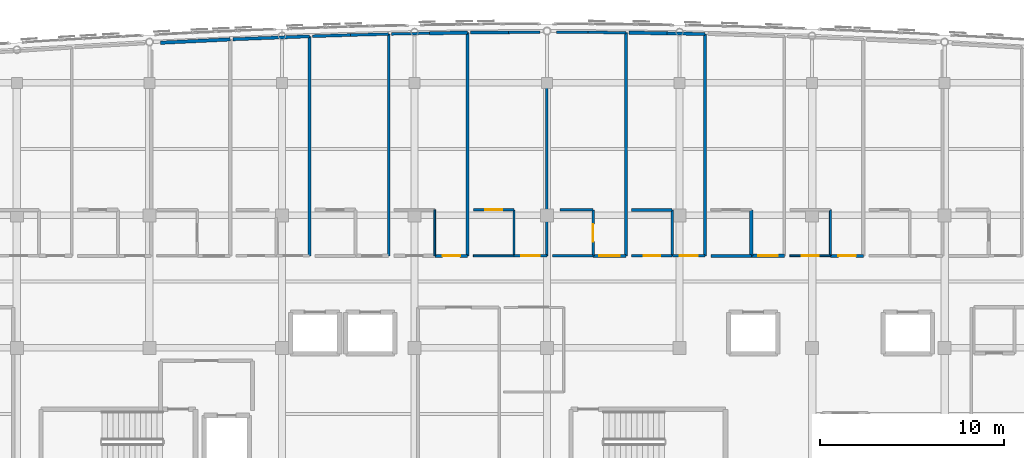
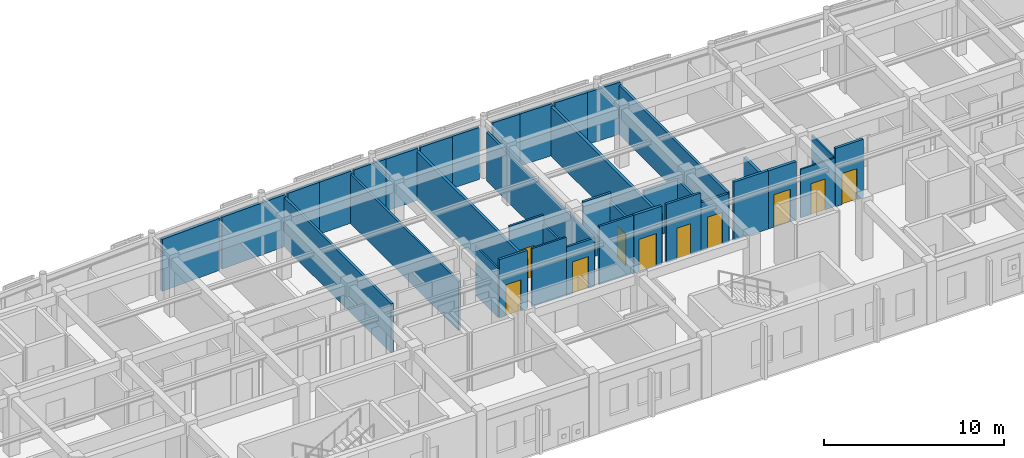
# One storey, part 95 of 113: 38 walls, 10 doors, 10 openings.
"""IFC4 building model written with IfcOpenShell, lengths in metres."""

from ifc_helpers import new_model, si_unit, direction, frame, frame_2d, origin, place, context, subcontext, project, spatial, rectangle, extrude, material, layer, layer_set, type_object, element, fill, save


model = new_model("IFC4")

# Units and contexts
model_context = context("Model", 3, precision=1e-05, world=origin(), true_north=direction((0.0, 1.0)))
body_context = subcontext(model_context, "Body", "Model", "MODEL_VIEW")
ifc_project = project(units=[si_unit("LENGTHUNIT", "METRE"), si_unit("AREAUNIT", "SQUARE_METRE"), si_unit("VOLUMEUNIT", "CUBIC_METRE"), si_unit("PLANEANGLEUNIT", "RADIAN"), si_unit("MASSUNIT", "GRAM", prefix="KILO")], contexts=[model_context])

# Site, building, storey
site_placement = place(None, origin())
site = spatial("IfcSite", under=ifc_project, at=site_placement, CompositionType="ELEMENT")
building_placement = place(site_placement, origin())
building = spatial("IfcBuilding", under=site, at=building_placement, Name="Carrowvane Square Congress Hotel", CompositionType="ELEMENT")
storey_placement = place(building_placement, frame((0.0, 0.0, 15.0)))
storey = spatial("IfcBuildingStorey", under=building, at=storey_placement, Name="L03", CompositionType="ELEMENT", Elevation=15.0)

# Walls
ifc_material_1 = material(Name="Acoustic gypsum board", Category="gypsum")
ifc_layer_1 = layer(ifc_material_1, 0.155029296875)
ifc_layer_set_1 = layer_set([ifc_layer_1], Name="Acoustic gypsum board")
wall_type_1 = type_object("IfcWallType", Name="WL-FIR-155", PredefinedType="PARTITIONING", material=ifc_layer_set_1)
wall_1_placement = place(storey_placement, frame((85.090087890625, 115.925537109375, 0.0), z_axis=(0.0, 0.0, 1.0), x_axis=(0.0, -1.0, 0.0)))
element("IfcWall", 1, at=wall_1_placement, inside=storey, type_object=wall_type_1, Name="L03 Parkview Guest Bedroom 0308 partition", PredefinedType="PARTITIONING", context=body_context, shape_type="SweptSolid", body=[
    extrude(rectangle(XDim=11.925537109375, YDim=0.155029296875, at=frame_2d((5.962890625, 0.0))), origin(), (0.0, 0.0, 1.0), 3.324951171875),
])
wall_2_placement = place(storey_placement, frame((85.25, 115.930908203125, 0.0), z_axis=(0.0, 0.0, 1.0), x_axis=(0.999526572749, 0.030767358826, 0.0)))
element("IfcWall", 2, at=wall_2_placement, inside=storey, type_object=wall_type_1, Name="L03 Parkview Guest Bedroom 0309 partition", PredefinedType="PARTITIONING", context=body_context, shape_type="SweptSolid", body=[
    extrude(rectangle(XDim=2.071044921875, YDim=0.155029296875, at=frame_2d((1.03564453125, 0.0))), origin(), (0.0, 0.0, 1.0), 3.515625),
])

# Wall, opening, door
wall_3_placement = place(storey_placement, frame((93.68994140625, 104.0, 0.0), z_axis=(0.0, 0.0, 1.0), x_axis=(-1.0, 0.0, 0.0)))
wall_3 = element("IfcWall", 3, at=wall_3_placement, inside=storey, type_object=wall_type_1, Name="L03 Parkview Guest Bedroom 0310 partition", PredefinedType="PARTITIONING", context=body_context, shape_type="SweptSolid", body=[
    extrude(rectangle(XDim=1.780029296875, YDim=0.155029296875, at=frame_2d((0.89013671875, 0.0))), origin(), (0.0, 0.0, 1.0), 3.93994140625),
])
opening_1_placement = place(wall_3_placement, frame((0.4150390625, 0.0, 0.0)))
opening_1 = element("IfcOpeningElement", 4, at=opening_1_placement, cuts=wall_3, Name="Opening FD-06", PredefinedType="OPENING", context=body_context, shape_type="SweptSolid", body=[
    extrude(rectangle(XDim=0.949951171875, YDim=2.10009765625, at=frame_2d((0.47509765625, 1.050048828125))), frame((0.0, 0.08740234375, 0.0), z_axis=(0.0, -1.0, 0.0), x_axis=(1.0, 0.0, 0.0)), (0.0, 0.0, 1.0), 0.175048828125),
])
ifc_material_2 = material(Name="European oak timber", Category="wood")
door_type_1 = type_object("IfcDoorType", Name="DR-FD30-0950x2100", OperationType="NOTDEFINED", PredefinedType="DOOR", material=ifc_material_2)
door_1_placement = place(opening_1_placement, origin())
door_1 = element("IfcDoor", 5, at=door_1_placement, inside=storey, type_object=door_type_1, Name="L03 Parkview Guest Bedroom 0310 entrance door", OperationType="SINGLE_SWING_RIGHT", OverallHeight=2.10009765625, OverallWidth=0.949951171875, PredefinedType="DOOR", context=body_context, shape_type="SweptSolid", body=[
    extrude(rectangle(XDim=0.949951171875, YDim=2.10009765625, at=frame_2d((0.47509765625, 1.050048828125))), frame((0.0, 0.02490234375, 0.0), z_axis=(0.0, -1.0, 0.0), x_axis=(1.0, 0.0, 0.0)), (0.0, 0.0, 1.0), 0.050048828125),
])
fill(opening_1, door_1)

# Walls
wall_4_placement = place(storey_placement, frame((95.919921875, 116.143310546875, 0.0), z_axis=(0.0, 0.0, 1.0), x_axis=(0.9999950669, 0.003141046755, 0.0)))
element("IfcWall", 6, at=wall_4_placement, inside=storey, type_object=wall_type_1, Name="L03 Parkview Guest Bedroom 0311 partition", PredefinedType="PARTITIONING", context=body_context, shape_type="SweptSolid", body=[
    extrude(rectangle(XDim=1.7099609375, YDim=0.155029296875, at=frame_2d((0.85498046875, 0.0))), origin(), (0.0, 0.0, 1.0), 3.515625),
])
wall_5_placement = place(storey_placement, frame((104.800048828125, 106.5, 0.0), z_axis=(0.0, 0.0, 1.0), x_axis=(0.0, -1.0, 0.0)))
element("IfcWall", 7, at=wall_5_placement, inside=storey, type_object=wall_type_1, Name="L03 En-suite Bathroom 0313 partition", PredefinedType="PARTITIONING", context=body_context, shape_type="SweptSolid", body=[
    extrude(rectangle(XDim=2.5, YDim=0.155029296875, at=frame_2d((1.25, 0.0))), origin(), (0.0, 0.0, 1.0), 3.324951171875),
])
wall_6_placement = place(storey_placement, frame((106.590087890625, 116.04833984375, 0.0), z_axis=(0.0, 0.0, 1.0), x_axis=(0.0, -1.0, 0.0)))
element("IfcWall", 8, at=wall_6_placement, inside=storey, type_object=wall_type_1, Name="L03 Parkview Guest Bedroom 0313 partition", PredefinedType="PARTITIONING", context=body_context, shape_type="SweptSolid", body=[
    extrude(rectangle(XDim=12.04833984375, YDim=0.155029296875, at=frame_2d((6.024169921875, 0.0))), origin(), (0.0, 0.0, 1.0), 3.324951171875),
])
ifc_material_3 = material(Name="Acoustic gypsum board", Category="gypsum")
ifc_layer_2 = layer(ifc_material_3, 0.169921875)
ifc_layer_set_2 = layer_set([ifc_layer_2], Name="Acoustic gypsum board")
wall_type_2 = type_object("IfcWallType", Name="WL-FIR-170", PredefinedType="PARTITIONING", material=ifc_layer_set_2)
wall_7_placement = place(storey_placement, frame((80.949951171875, 115.766357421875, 0.0), z_axis=(0.0, 0.0, 1.0), x_axis=(0.999261696776, 0.03841954395, 0.0)))
element("IfcWall", 9, at=wall_7_placement, inside=storey, type_object=wall_type_2, Name="L03 Parkview Guest Bedroom 0308 partition", PredefinedType="PARTITIONING", context=body_context, shape_type="SweptSolid", body=[
    extrude(rectangle(XDim=4.143310546875, YDim=0.169921875, at=frame_2d((2.07177734375, 0.0))), origin(), (0.0, 0.0, 1.0), 3.515625),
])
wall_8_placement = place(storey_placement, frame((93.68994140625, 116.12353515625, 0.0), z_axis=(0.0, 0.0, 1.0), x_axis=(0.0, -1.0, 0.0)))
element("IfcWall", 10, at=wall_8_placement, inside=storey, type_object=wall_type_2, Name="L03 Parkview Guest Bedroom 0310 partition", PredefinedType="PARTITIONING", context=body_context, shape_type="SweptSolid", body=[
    extrude(rectangle(XDim=12.12353515625, YDim=0.169921875, at=frame_2d((6.061767578125, 0.0))), origin(), (0.0, 0.0, 1.0), 3.324951171875),
])
wall_9_placement = place(storey_placement, frame((93.85009765625, 116.125, 0.0), z_axis=(0.0, 0.0, 1.0), x_axis=(0.99996087267, 0.008846079907, 0.0)))
element("IfcWall", 11, at=wall_9_placement, inside=storey, type_object=wall_type_2, Name="L03 Parkview Guest Bedroom 0311 partition", PredefinedType="PARTITIONING", context=body_context, shape_type="SweptSolid", body=[
    extrude(rectangle(XDim=2.06982421875, YDim=0.169921875, at=frame_2d((1.034912109375, 0.0))), origin(), (0.0, 0.0, 1.0), 3.515625),
])

# Wall, opening, door
wall_10_placement = place(storey_placement, frame((102.2900390625, 104.0, 0.0), z_axis=(0.0, 0.0, 1.0), x_axis=(-1.0, 0.0, 0.0)))
wall_10 = element("IfcWall", 12, at=wall_10_placement, inside=storey, type_object=wall_type_2, Name="L03 Parkview Guest Bedroom 0312 partition", PredefinedType="PARTITIONING", context=body_context, shape_type="SweptSolid", body=[
    extrude(rectangle(XDim=1.780029296875, YDim=0.169921875, at=frame_2d((0.89013671875, 0.0))), origin(), (0.0, 0.0, 1.0), 3.93994140625),
])
opening_2_placement = place(wall_10_placement, frame((0.330078125, 0.0, 0.0)))
opening_2 = element("IfcOpeningElement", 13, at=opening_2_placement, cuts=wall_10, Name="Opening FD-10", PredefinedType="OPENING", context=body_context, shape_type="SweptSolid", body=[
    extrude(rectangle(XDim=1.1201171875, YDim=2.199951171875, at=frame_2d((0.56005859375, 1.10009765625))), frame((0.0, 0.094970703125, 0.0), z_axis=(0.0, -1.0, 0.0), x_axis=(1.0, 0.0, 0.0)), (0.0, 0.0, 1.0), 0.18994140625),
])
ifc_material_4 = material(Name="European oak timber", Category="wood")
door_type_2 = type_object("IfcDoorType", Name="DR-FD30-1120x2200", OperationType="NOTDEFINED", PredefinedType="DOOR", material=ifc_material_4)
door_2_placement = place(opening_2_placement, origin())
door_2 = element("IfcDoor", 14, at=door_2_placement, inside=storey, type_object=door_type_2, Name="L03 Parkview Guest Bedroom 0312 entrance door", OperationType="SINGLE_SWING_RIGHT", OverallHeight=2.199951171875, OverallWidth=1.1201171875, PredefinedType="DOOR", context=body_context, shape_type="SweptSolid", body=[
    extrude(rectangle(XDim=1.1201171875, YDim=2.199951171875, at=frame_2d((0.56005859375, 1.10009765625))), frame((0.0, 0.02490234375, 0.0), z_axis=(0.0, -1.0, 0.0), x_axis=(1.0, 0.0, 0.0)), (0.0, 0.0, 1.0), 0.050048828125),
])
fill(opening_2, door_2)

# Walls
wall_11_placement = place(storey_placement, frame((102.60009765625, 106.5, 0.0), z_axis=(0.0, 0.0, 1.0), x_axis=(1.0, 0.0, 0.0)))
element("IfcWall", 15, at=wall_11_placement, inside=storey, type_object=wall_type_2, Name="L03 En-suite Bathroom 0313 partition", PredefinedType="PARTITIONING", context=body_context, shape_type="SweptSolid", body=[
    extrude(rectangle(XDim=2.199951171875, YDim=0.169921875, at=frame_2d((1.10009765625, 0.0))), origin(), (0.0, 0.0, 1.0), 3.324951171875),
])
wall_12_placement = place(storey_placement, frame((104.52001953125, 116.0908203125, 0.0), z_axis=(0.0, 0.0, 1.0), x_axis=(0.999789504853, -0.020516968256, 0.0)))
element("IfcWall", 16, at=wall_12_placement, inside=storey, type_object=wall_type_2, Name="L03 Parkview Guest Bedroom 0313 partition", PredefinedType="PARTITIONING", context=body_context, shape_type="SweptSolid", body=[
    extrude(rectangle(XDim=2.070556640625, YDim=0.169921875, at=frame_2d((1.03515625, 0.0))), origin(), (0.0, 0.0, 1.0), 3.515625),
])
wall_13_placement = place(storey_placement, frame((109.10009765625, 104.0, 0.0), z_axis=(0.0, 0.0, 1.0), x_axis=(-1.0, 0.0, 0.0)))
element("IfcWall", 17, at=wall_13_placement, inside=storey, type_object=wall_type_2, Name="L03 En-suite Bathroom 0314 partition", PredefinedType="PARTITIONING", context=body_context, shape_type="SweptSolid", body=[
    extrude(rectangle(XDim=2.2001953125, YDim=0.169921875, at=frame_2d((1.10009765625, 0.0))), origin(), (0.0, 0.0, 1.0), 3.93994140625),
])

# Wall, opening, door
wall_14_placement = place(storey_placement, frame((115.18994140625, 104.0, 0.0), z_axis=(0.0, 0.0, 1.0), x_axis=(-1.0, 0.0, 0.0)))
wall_14 = element("IfcWall", 18, at=wall_14_placement, inside=storey, type_object=wall_type_2, Name="L03 Parkview Guest Bedroom 0315 partition", PredefinedType="PARTITIONING", context=body_context, shape_type="SweptSolid", body=[
    extrude(rectangle(XDim=1.780029296875, YDim=0.169921875, at=frame_2d((0.89013671875, 0.0))), origin(), (0.0, 0.0, 1.0), 3.93994140625),
])
opening_3_placement = place(wall_14_placement, frame((0.4150390625, 0.0, 0.0)))
opening_3 = element("IfcOpeningElement", 19, at=opening_3_placement, cuts=wall_14, Name="Opening FD-06", PredefinedType="OPENING", context=body_context, shape_type="SweptSolid", body=[
    extrude(rectangle(XDim=0.949951171875, YDim=2.10009765625, at=frame_2d((0.47509765625, 1.050048828125))), frame((0.0, 0.094970703125, 0.0), z_axis=(0.0, -1.0, 0.0), x_axis=(1.0, 0.0, 0.0)), (0.0, 0.0, 1.0), 0.18994140625),
])
door_3_placement = place(opening_3_placement, origin())
door_3 = element("IfcDoor", 20, at=door_3_placement, inside=storey, type_object=door_type_1, Name="L03 Parkview Guest Bedroom 0315 entrance door", OperationType="SINGLE_SWING_RIGHT", OverallHeight=2.10009765625, OverallWidth=0.949951171875, PredefinedType="DOOR", context=body_context, shape_type="SweptSolid", body=[
    extrude(rectangle(XDim=0.949951171875, YDim=2.10009765625, at=frame_2d((0.47509765625, 1.050048828125))), frame((0.0, 0.02490234375, 0.0), z_axis=(0.0, -1.0, 0.0), x_axis=(1.0, 0.0, 0.0)), (0.0, 0.0, 1.0), 0.050048828125),
])
fill(opening_3, door_3)

# Walls
ifc_material_5 = material(Name="Acoustic gypsum board", Category="gypsum")
ifc_layer_3 = layer(ifc_material_5, 0.18505859375)
ifc_layer_set_3 = layer_set([ifc_layer_3], Name="Acoustic gypsum board")
wall_type_3 = type_object("IfcWallType", Name="WL-FIR-185", PredefinedType="PARTITIONING", material=ifc_layer_set_3)
wall_15_placement = place(storey_placement, frame((77.009521484375, 115.577392578125, 0.0), z_axis=(0.0, 0.0, 1.0), x_axis=(0.998847761626, 0.047991135592, 0.0)))
element("IfcWall", 21, at=wall_15_placement, inside=storey, type_object=wall_type_3, Name="L03 Parkview Guest Bedroom 0307 partition", PredefinedType="PARTITIONING", context=body_context, shape_type="SweptSolid", body=[
    extrude(rectangle(XDim=3.784912109375, YDim=0.18505859375, at=frame_2d((1.892578125, 0.0))), origin(), (0.0, 0.0, 1.0), 3.515625),
])
wall_16_placement = place(storey_placement, frame((91.6201171875, 116.093017578125, 0.0), z_axis=(0.0, 0.0, 1.0), x_axis=(0.99989132431, 0.014742441087, 0.0)))
element("IfcWall", 22, at=wall_16_placement, inside=storey, type_object=wall_type_3, Name="L03 Parkview Guest Bedroom 0310 partition", PredefinedType="PARTITIONING", context=body_context, shape_type="SweptSolid", body=[
    extrude(rectangle(XDim=2.070068359375, YDim=0.18505859375, at=frame_2d((1.03515625, 0.0))), origin(), (0.0, 0.0, 1.0), 3.515625),
])
wall_17_placement = place(storey_placement, frame((102.2900390625, 116.123779296875, 0.0), z_axis=(0.0, 0.0, 1.0), x_axis=(0.0, -1.0, 0.0)))
element("IfcWall", 23, at=wall_17_placement, inside=storey, type_object=wall_type_3, Name="L03 Parkview Guest Bedroom 0312 partition", PredefinedType="PARTITIONING", context=body_context, shape_type="SweptSolid", body=[
    extrude(rectangle(XDim=12.123779296875, YDim=0.18505859375, at=frame_2d((6.06201171875, 0.0))), origin(), (0.0, 0.0, 1.0), 3.324951171875),
])
wall_18_placement = place(storey_placement, frame((102.449951171875, 116.1220703125, 0.0), z_axis=(0.0, 0.0, 1.0), x_axis=(0.999886073055, -0.015094399971, 0.0)))
element("IfcWall", 24, at=wall_18_placement, inside=storey, type_object=wall_type_3, Name="L03 Parkview Guest Bedroom 0313 partition", PredefinedType="PARTITIONING", context=body_context, shape_type="SweptSolid", body=[
    extrude(rectangle(XDim=2.0703125, YDim=0.18505859375, at=frame_2d((1.03515625, 0.0))), origin(), (0.0, 0.0, 1.0), 3.515625),
])
wall_19_placement = place(storey_placement, frame((109.10009765625, 106.5, 0.0), z_axis=(0.0, 0.0, 1.0), x_axis=(0.0, -1.0, 0.0)))
element("IfcWall", 25, at=wall_19_placement, inside=storey, type_object=wall_type_3, Name="L03 En-suite Bathroom 0314 partition", PredefinedType="PARTITIONING", context=body_context, shape_type="SweptSolid", body=[
    extrude(rectangle(XDim=2.5, YDim=0.18505859375, at=frame_2d((1.25, 0.0))), origin(), (0.0, 0.0, 1.0), 3.324951171875),
])

# Wall, opening, door
wall_20_placement = place(storey_placement, frame((110.889892578125, 104.0, 0.0), z_axis=(0.0, 0.0, 1.0), x_axis=(-1.0, 0.0, 0.0)))
wall_20 = element("IfcWall", 26, at=wall_20_placement, inside=storey, type_object=wall_type_3, Name="L03 Parkview Guest Bedroom 0314 partition", PredefinedType="PARTITIONING", context=body_context, shape_type="SweptSolid", body=[
    extrude(rectangle(XDim=1.77978515625, YDim=0.18505859375, at=frame_2d((0.889892578125, 0.0))), origin(), (0.0, 0.0, 1.0), 3.93994140625),
])
opening_4_placement = place(wall_20_placement, frame((0.360107421875, 0.0, 0.0)))
opening_4 = element("IfcOpeningElement", 27, at=opening_4_placement, cuts=wall_20, Name="Opening FD-09", PredefinedType="OPENING", context=body_context, shape_type="SweptSolid", body=[
    extrude(rectangle(XDim=1.06005859375, YDim=2.199951171875, at=frame_2d((0.530029296875, 1.10009765625))), frame((0.0, 0.1025390625, 0.0), z_axis=(0.0, -1.0, 0.0), x_axis=(1.0, 0.0, 0.0)), (0.0, 0.0, 1.0), 0.205078125),
])
ifc_material_6 = material(Name="European oak timber", Category="wood")
door_type_3 = type_object("IfcDoorType", Name="DR-FD30-1060x2200", OperationType="NOTDEFINED", PredefinedType="DOOR", material=ifc_material_6)
door_4_placement = place(opening_4_placement, origin())
door_4 = element("IfcDoor", 28, at=door_4_placement, inside=storey, type_object=door_type_3, Name="L03 Parkview Guest Bedroom 0314 entrance door", OperationType="SINGLE_SWING_RIGHT", OverallHeight=2.199951171875, OverallWidth=1.06005859375, PredefinedType="DOOR", context=body_context, shape_type="SweptSolid", body=[
    extrude(rectangle(XDim=1.06005859375, YDim=2.199951171875, at=frame_2d((0.530029296875, 1.10009765625))), frame((0.0, 0.02490234375, 0.0), z_axis=(0.0, -1.0, 0.0), x_axis=(1.0, 0.0, 0.0)), (0.0, 0.0, 1.0), 0.050048828125),
])
fill(opening_4, door_4)

# Wall
ifc_material_7 = material(Name="Acoustic gypsum board", Category="gypsum")
ifc_layer_4 = layer(ifc_material_7, 0.097900390625)
ifc_layer_set_4 = layer_set([ifc_layer_4], Name="Acoustic gypsum board")
wall_type_4 = type_object("IfcWallType", Name="WL-PRT-098", PredefinedType="PARTITIONING", material=ifc_layer_set_4)
wall_21_placement = place(storey_placement, frame((91.89990234375, 106.5, 0.0), z_axis=(0.0, 0.0, 1.0), x_axis=(0.0, -1.0, 0.0)))
element("IfcWall", 29, at=wall_21_placement, inside=storey, type_object=wall_type_4, Name="L03 En-suite Bathroom 0310 partition", PredefinedType="PARTITIONING", context=body_context, shape_type="SweptSolid", body=[
    extrude(rectangle(XDim=2.5, YDim=0.097900390625, at=frame_2d((1.25, 0.0))), origin(), (0.0, 0.0, 1.0), 3.324951171875),
])

# Wall, opening, door
wall_22_placement = place(storey_placement, frame((113.39990234375, 104.0, 0.0), z_axis=(0.0, 0.0, 1.0), x_axis=(-1.0, 0.0, 0.0)))
wall_22 = element("IfcWall", 30, at=wall_22_placement, inside=storey, type_object=wall_type_4, Name="L03 En-suite Bathroom 0315 partition", PredefinedType="PARTITIONING", context=body_context, shape_type="SweptSolid", body=[
    extrude(rectangle(XDim=2.199951171875, YDim=0.097900390625, at=frame_2d((1.10009765625, 0.0))), origin(), (0.0, 0.0, 1.0), 3.27490234375),
])
opening_5_placement = place(wall_22_placement, frame((0.64990234375, 0.0, 0.0)))
opening_5 = element("IfcOpeningElement", 31, at=opening_5_placement, cuts=wall_22, Name="Opening ID-02", PredefinedType="OPENING", context=body_context, shape_type="SweptSolid", body=[
    extrude(rectangle(XDim=0.89990234375, YDim=2.080078125, at=frame_2d((0.449951171875, 1.0400390625))), frame((0.0, 0.058837890625, 0.0), z_axis=(0.0, -1.0, 0.0), x_axis=(1.0, 0.0, 0.0)), (0.0, 0.0, 1.0), 0.117919921875),
])
ifc_material_8 = material(Name="European oak timber", Category="wood")
door_type_4 = type_object("IfcDoorType", Name="DR-INT-0900x2080", OperationType="NOTDEFINED", PredefinedType="DOOR", material=ifc_material_8)
door_5_placement = place(opening_5_placement, origin())
door_5 = element("IfcDoor", 32, at=door_5_placement, inside=storey, type_object=door_type_4, Name="L03 En-suite Bathroom 0315 door", OperationType="SINGLE_SWING_LEFT", OverallHeight=2.080078125, OverallWidth=0.89990234375, PredefinedType="DOOR", context=body_context, shape_type="SweptSolid", body=[
    extrude(rectangle(XDim=0.89990234375, YDim=2.080078125, at=frame_2d((0.449951171875, 1.0400390625))), frame((0.0, 0.02490234375, 0.0), z_axis=(0.0, -1.0, 0.0), x_axis=(1.0, 0.0, 0.0)), (0.0, 0.0, 1.0), 0.050048828125),
])
fill(opening_5, door_5)

# Walls
ifc_material_9 = material(Name="Acoustic gypsum board", Category="gypsum")
ifc_layer_5 = layer(ifc_material_9, 0.10791015625)
ifc_layer_set_5 = layer_set([ifc_layer_5], Name="Acoustic gypsum board")
wall_type_5 = type_object("IfcWallType", Name="WL-PRT-108", PredefinedType="PARTITIONING", material=ifc_layer_set_5)
wall_23_placement = place(storey_placement, frame((96.199951171875, 104.0, 0.0), z_axis=(0.0, 0.0, 1.0), x_axis=(-1.0, 0.0, 0.0)))
element("IfcWall", 33, at=wall_23_placement, inside=storey, type_object=wall_type_5, Name="L03 En-suite Bathroom 0311 partition", PredefinedType="PARTITIONING", context=body_context, shape_type="SweptSolid", body=[
    extrude(rectangle(XDim=2.199951171875, YDim=0.10791015625, at=frame_2d((1.10009765625, 0.0))), origin(), (0.0, 0.0, 1.0), 3.93994140625),
])
wall_24_placement = place(storey_placement, frame((113.39990234375, 106.5, 0.0), z_axis=(0.0, 0.0, 1.0), x_axis=(0.0, -1.0, 0.0)))
element("IfcWall", 34, at=wall_24_placement, inside=storey, type_object=wall_type_5, Name="L03 En-suite Bathroom 0315 partition", PredefinedType="PARTITIONING", context=body_context, shape_type="SweptSolid", body=[
    extrude(rectangle(XDim=2.5, YDim=0.10791015625, at=frame_2d((1.25, 0.0))), origin(), (0.0, 0.0, 1.0), 3.324951171875),
])
ifc_material_10 = material(Name="Acoustic gypsum board", Category="gypsum")
ifc_layer_6 = layer(ifc_material_10, 0.117919921875)
ifc_layer_set_6 = layer_set([ifc_layer_6], Name="Acoustic gypsum board")
wall_type_6 = type_object("IfcWallType", Name="WL-PRT-118", PredefinedType="PARTITIONING", material=ifc_layer_set_6)
wall_25_placement = place(storey_placement, frame((96.199951171875, 106.5, 0.0), z_axis=(0.0, 0.0, 1.0), x_axis=(0.0, -1.0, 0.0)))
element("IfcWall", 35, at=wall_25_placement, inside=storey, type_object=wall_type_6, Name="L03 En-suite Bathroom 0311 partition", PredefinedType="PARTITIONING", context=body_context, shape_type="SweptSolid", body=[
    extrude(rectangle(XDim=2.5, YDim=0.117919921875, at=frame_2d((1.25, 0.0))), origin(), (0.0, 0.0, 1.0), 3.324951171875),
])

# Wall, opening, door
ifc_material_11 = material(Name="Acoustic gypsum board", Category="gypsum")
ifc_layer_7 = layer(ifc_material_11, 0.1279296875)
ifc_layer_set_7 = layer_set([ifc_layer_7], Name="Acoustic gypsum board")
wall_type_7 = type_object("IfcWallType", Name="WL-PRT-128", PredefinedType="PARTITIONING", material=ifc_layer_set_7)
wall_26_placement = place(storey_placement, frame((94.0, 106.5, 0.0), z_axis=(0.0, 0.0, 1.0), x_axis=(1.0, 0.0, 0.0)))
wall_26 = element("IfcWall", 36, at=wall_26_placement, inside=storey, type_object=wall_type_7, Name="L03 En-suite Bathroom 0311 partition", PredefinedType="PARTITIONING", context=body_context, shape_type="SweptSolid", body=[
    extrude(rectangle(XDim=2.199951171875, YDim=0.1279296875, at=frame_2d((1.10009765625, 0.0))), origin(), (0.0, 0.0, 1.0), 3.93994140625),
])
opening_6_placement = place(wall_26_placement, frame((0.639892578125, 0.0, 0.0)))
opening_6 = element("IfcOpeningElement", 37, at=opening_6_placement, cuts=wall_26, Name="Opening ID-03", PredefinedType="OPENING", context=body_context, shape_type="SweptSolid", body=[
    extrude(rectangle(XDim=0.919921875, YDim=2.10009765625, at=frame_2d((0.4599609375, 1.050048828125))), frame((0.0, 0.073974609375, 0.0), z_axis=(0.0, -1.0, 0.0), x_axis=(1.0, 0.0, 0.0)), (0.0, 0.0, 1.0), 0.14794921875),
])
ifc_material_12 = material(Name="European oak timber", Category="wood")
door_type_5 = type_object("IfcDoorType", Name="DR-INT-0920x2100", OperationType="NOTDEFINED", PredefinedType="DOOR", material=ifc_material_12)
door_6_placement = place(opening_6_placement, origin())
door_6 = element("IfcDoor", 38, at=door_6_placement, inside=storey, type_object=door_type_5, Name="L03 En-suite Bathroom 0311 door", OperationType="SINGLE_SWING_LEFT", OverallHeight=2.10009765625, OverallWidth=0.919921875, PredefinedType="DOOR", context=body_context, shape_type="SweptSolid", body=[
    extrude(rectangle(XDim=0.919921875, YDim=2.10009765625, at=frame_2d((0.4599609375, 1.050048828125))), frame((0.0, 0.02490234375, 0.0), z_axis=(0.0, -1.0, 0.0), x_axis=(1.0, 0.0, 0.0)), (0.0, 0.0, 1.0), 0.050048828125),
])
fill(opening_6, door_6)

# Walls
wall_27_placement = place(storey_placement, frame((100.5, 104.0, 0.0), z_axis=(0.0, 0.0, 1.0), x_axis=(-1.0, 0.0, 0.0)))
element("IfcWall", 39, at=wall_27_placement, inside=storey, type_object=wall_type_7, Name="L03 En-suite Bathroom 0312 partition", PredefinedType="PARTITIONING", context=body_context, shape_type="SweptSolid", body=[
    extrude(rectangle(XDim=2.199951171875, YDim=0.1279296875, at=frame_2d((1.10009765625, 0.0))), origin(), (0.0, 0.0, 1.0), 3.93994140625),
])
ifc_material_13 = material(Name="Acoustic gypsum board", Category="gypsum")
ifc_layer_8 = layer(ifc_material_13, 0.137939453125)
ifc_layer_set_8 = layer_set([ifc_layer_8], Name="Acoustic gypsum board")
wall_type_8 = type_object("IfcWallType", Name="WL-PRT-138", PredefinedType="PARTITIONING", material=ifc_layer_set_8)
wall_28_placement = place(storey_placement, frame((89.389892578125, 116.048095703125, 0.0), z_axis=(0.0, 0.0, 1.0), x_axis=(0.0, -1.0, 0.0)))
element("IfcWall", 40, at=wall_28_placement, inside=storey, type_object=wall_type_8, Name="L03 Parkview Guest Bedroom 0309 partition", PredefinedType="PARTITIONING", context=body_context, shape_type="SweptSolid", body=[
    extrude(rectangle(XDim=12.048095703125, YDim=0.137939453125, at=frame_2d((6.02392578125, 0.0))), origin(), (0.0, 0.0, 1.0), 3.324951171875),
])
wall_29_placement = place(storey_placement, frame((89.550048828125, 116.051513671875, 0.0), z_axis=(0.0, 0.0, 1.0), x_axis=(0.999799068667, 0.020045505564, 0.0)))
element("IfcWall", 41, at=wall_29_placement, inside=storey, type_object=wall_type_8, Name="L03 Parkview Guest Bedroom 0310 partition", PredefinedType="PARTITIONING", context=body_context, shape_type="SweptSolid", body=[
    extrude(rectangle(XDim=2.070556640625, YDim=0.137939453125, at=frame_2d((1.03515625, 0.0))), origin(), (0.0, 0.0, 1.0), 3.515625),
])

# Wall, opening, door
wall_30_placement = place(storey_placement, frame((97.989990234375, 104.0, 0.0), z_axis=(0.0, 0.0, 1.0), x_axis=(-1.0, 0.0, 0.0)))
wall_30 = element("IfcWall", 42, at=wall_30_placement, inside=storey, type_object=wall_type_8, Name="L03 Parkview Guest Bedroom 0311 partition", PredefinedType="PARTITIONING", context=body_context, shape_type="SweptSolid", body=[
    extrude(rectangle(XDim=1.780029296875, YDim=0.137939453125, at=frame_2d((0.89013671875, 0.0))), origin(), (0.0, 0.0, 1.0), 3.27490234375),
])
opening_7_placement = place(wall_30_placement, frame((0.3798828125, 0.0, 0.0)))
opening_7 = element("IfcOpeningElement", 43, at=opening_7_placement, cuts=wall_30, Name="Opening FD-08", PredefinedType="OPENING", context=body_context, shape_type="SweptSolid", body=[
    extrude(rectangle(XDim=1.02001953125, YDim=2.14990234375, at=frame_2d((0.510009765625, 1.074951171875))), frame((0.0, 0.078857421875, 0.0), z_axis=(0.0, -1.0, 0.0), x_axis=(1.0, 0.0, 0.0)), (0.0, 0.0, 1.0), 0.157958984375),
])
ifc_material_14 = material(Name="European oak timber", Category="wood")
door_type_6 = type_object("IfcDoorType", Name="DR-FD30-1020x2150", OperationType="NOTDEFINED", PredefinedType="DOOR", material=ifc_material_14)
door_7_placement = place(opening_7_placement, origin())
door_7 = element("IfcDoor", 44, at=door_7_placement, inside=storey, type_object=door_type_6, Name="L03 Parkview Guest Bedroom 0311 entrance door", OperationType="SINGLE_SWING_RIGHT", OverallHeight=2.14990234375, OverallWidth=1.02001953125, PredefinedType="DOOR", context=body_context, shape_type="SweptSolid", body=[
    extrude(rectangle(XDim=1.02001953125, YDim=2.14990234375, at=frame_2d((0.510009765625, 1.074951171875))), frame((0.0, 0.02490234375, 0.0), z_axis=(0.0, -1.0, 0.0), x_axis=(1.0, 0.0, 0.0)), (0.0, 0.0, 1.0), 0.050048828125),
])
fill(opening_7, door_7)

wall_31_placement = place(storey_placement, frame((100.5, 106.5, 0.0), z_axis=(0.0, 0.0, 1.0), x_axis=(0.0, -1.0, 0.0)))
wall_31 = element("IfcWall", 45, at=wall_31_placement, inside=storey, type_object=wall_type_8, Name="L03 En-suite Bathroom 0312 partition", PredefinedType="PARTITIONING", context=body_context, shape_type="SweptSolid", body=[
    extrude(rectangle(XDim=2.5, YDim=0.137939453125, at=frame_2d((1.25, 0.0))), origin(), (0.0, 0.0, 1.0), 3.324951171875),
])
opening_8_placement = place(wall_31_placement, frame((0.77001953125, 0.0, 0.0)))
opening_8 = element("IfcOpeningElement", 46, at=opening_8_placement, cuts=wall_31, Name="Opening ID-05", PredefinedType="OPENING", context=body_context, shape_type="SweptSolid", body=[
    extrude(rectangle(XDim=0.9599609375, YDim=2.139892578125, at=frame_2d((0.47998046875, 1.06982421875))), frame((0.0, 0.078857421875, 0.0), z_axis=(0.0, -1.0, 0.0), x_axis=(1.0, 0.0, 0.0)), (0.0, 0.0, 1.0), 0.157958984375),
])
ifc_material_15 = material(Name="European oak timber", Category="wood")
door_type_7 = type_object("IfcDoorType", Name="DR-INT-0960x2140", OperationType="NOTDEFINED", PredefinedType="DOOR", material=ifc_material_15)
door_8_placement = place(opening_8_placement, origin())
door_8 = element("IfcDoor", 47, at=door_8_placement, inside=storey, type_object=door_type_7, Name="L03 En-suite Bathroom 0312 door", OperationType="SINGLE_SWING_LEFT", OverallHeight=2.139892578125, OverallWidth=0.9599609375, PredefinedType="DOOR", context=body_context, shape_type="SweptSolid", body=[
    extrude(rectangle(XDim=0.9599609375, YDim=2.139892578125, at=frame_2d((0.47998046875, 1.06982421875))), frame((0.0, 0.02490234375, 0.0), z_axis=(0.0, -1.0, 0.0), x_axis=(1.0, 0.0, 0.0)), (0.0, 0.0, 1.0), 0.050048828125),
])
fill(opening_8, door_8)

# Walls
wall_32_placement = place(storey_placement, frame((100.219970703125, 116.142822265625, 0.0), z_axis=(0.0, 0.0, 1.0), x_axis=(0.999957690063, -0.009198808801, 0.0)))
element("IfcWall", 48, at=wall_32_placement, inside=storey, type_object=wall_type_8, Name="L03 Parkview Guest Bedroom 0312 partition", PredefinedType="PARTITIONING", context=body_context, shape_type="SweptSolid", body=[
    extrude(rectangle(XDim=2.070068359375, YDim=0.137939453125, at=frame_2d((1.03515625, 0.0))), origin(), (0.0, 0.0, 1.0), 3.515625),
])
ifc_material_16 = material(Name="Acoustic gypsum board", Category="gypsum")
ifc_layer_9 = layer(ifc_material_16, 0.14794921875)
ifc_layer_set_9 = layer_set([ifc_layer_9], Name="Acoustic gypsum board")
wall_type_9 = type_object("IfcWallType", Name="WL-PRT-148", PredefinedType="PARTITIONING", material=ifc_layer_set_9)
wall_33_placement = place(storey_placement, frame((87.320068359375, 115.99462890625, 0.0), z_axis=(0.0, 0.0, 1.0), x_axis=(0.999666532025, 0.025822950049, 0.0)))
element("IfcWall", 49, at=wall_33_placement, inside=storey, type_object=wall_type_9, Name="L03 Parkview Guest Bedroom 0309 partition", PredefinedType="PARTITIONING", context=body_context, shape_type="SweptSolid", body=[
    extrude(rectangle(XDim=2.070556640625, YDim=0.14794921875, at=frame_2d((1.03515625, 0.0))), origin(), (0.0, 0.0, 1.0), 3.515625),
])
wall_34_placement = place(storey_placement, frame((97.989990234375, 115.7900390625, 0.0), z_axis=(0.0, 0.0, 1.0), x_axis=(0.0, -1.0, 0.0)))
element("IfcWall", 50, at=wall_34_placement, inside=storey, type_object=wall_type_9, Name="L03 Parkview Guest Bedroom 0311 partition", PredefinedType="PARTITIONING", context=body_context, shape_type="SweptSolid", body=[
    extrude(rectangle(XDim=11.7900390625, YDim=0.14794921875, at=frame_2d((5.89501953125, 0.0))), origin(), (0.0, 0.0, 1.0), 3.27490234375),
])
wall_35_placement = place(storey_placement, frame((98.7099609375, 106.5, 0.0), z_axis=(0.0, 0.0, 1.0), x_axis=(1.0, 0.0, 0.0)))
element("IfcWall", 51, at=wall_35_placement, inside=storey, type_object=wall_type_9, Name="L03 En-suite Bathroom 0312 partition", PredefinedType="PARTITIONING", context=body_context, shape_type="SweptSolid", body=[
    extrude(rectangle(XDim=1.7900390625, YDim=0.14794921875, at=frame_2d((0.89501953125, 0.0))), origin(), (0.0, 0.0, 1.0), 3.93994140625),
])
wall_36_placement = place(storey_placement, frame((98.510009765625, 116.1484375, 0.0), z_axis=(0.0, 0.0, 1.0), x_axis=(0.999994608248, -0.003283820101, 0.0)))
element("IfcWall", 52, at=wall_36_placement, inside=storey, type_object=wall_type_9, Name="L03 Parkview Guest Bedroom 0312 partition", PredefinedType="PARTITIONING", context=body_context, shape_type="SweptSolid", body=[
    extrude(rectangle(XDim=1.7099609375, YDim=0.14794921875, at=frame_2d((0.85498046875, 0.0))), origin(), (0.0, 0.0, 1.0), 3.515625),
])

# Wall, opening, door
wall_37_placement = place(storey_placement, frame((104.800048828125, 104.0, 0.0), z_axis=(0.0, 0.0, 1.0), x_axis=(-1.0, 0.0, 0.0)))
wall_37 = element("IfcWall", 53, at=wall_37_placement, inside=storey, type_object=wall_type_9, Name="L03 En-suite Bathroom 0313 partition", PredefinedType="PARTITIONING", context=body_context, shape_type="SweptSolid", body=[
    extrude(rectangle(XDim=2.199951171875, YDim=0.14794921875, at=frame_2d((1.10009765625, 0.0))), origin(), (0.0, 0.0, 1.0), 3.93994140625),
])
opening_9_placement = place(wall_37_placement, frame((0.655029296875, 0.0, 0.0)))
opening_9 = element("IfcOpeningElement", 54, at=opening_9_placement, cuts=wall_37, Name="Opening ID-16", PredefinedType="OPENING", context=body_context, shape_type="SweptSolid", body=[
    extrude(rectangle(XDim=0.889892578125, YDim=2.090087890625, at=frame_2d((0.44482421875, 1.044921875))), frame((0.0, 0.083984375, 0.0), z_axis=(0.0, -1.0, 0.0), x_axis=(1.0, 0.0, 0.0)), (0.0, 0.0, 1.0), 0.16796875),
])
ifc_material_17 = material(Name="European oak timber", Category="wood")
door_type_8 = type_object("IfcDoorType", Name="DR-INT-0890x2090", OperationType="NOTDEFINED", PredefinedType="DOOR", material=ifc_material_17)
door_9_placement = place(opening_9_placement, origin())
door_9 = element("IfcDoor", 55, at=door_9_placement, inside=storey, type_object=door_type_8, Name="L03 En-suite Bathroom 0313 door", OperationType="SINGLE_SWING_LEFT", OverallHeight=2.090087890625, OverallWidth=0.889892578125, PredefinedType="DOOR", context=body_context, shape_type="SweptSolid", body=[
    extrude(rectangle(XDim=0.889892578125, YDim=2.090087890625, at=frame_2d((0.44482421875, 1.044921875))), frame((0.0, 0.02490234375, 0.0), z_axis=(0.0, -1.0, 0.0), x_axis=(1.0, 0.0, 0.0)), (0.0, 0.0, 1.0), 0.050048828125),
])
fill(opening_9, door_9)

wall_38_placement = place(storey_placement, frame((106.590087890625, 104.0, 0.0), z_axis=(0.0, 0.0, 1.0), x_axis=(-1.0, 0.0, 0.0)))
wall_38 = element("IfcWall", 56, at=wall_38_placement, inside=storey, type_object=wall_type_9, Name="L03 Parkview Guest Bedroom 0313 partition", PredefinedType="PARTITIONING", context=body_context, shape_type="SweptSolid", body=[
    extrude(rectangle(XDim=1.780029296875, YDim=0.14794921875, at=frame_2d((0.89013671875, 0.0))), origin(), (0.0, 0.0, 1.0), 3.27490234375),
])
opening_10_placement = place(wall_38_placement, frame((0.39990234375, 0.0, 0.0)))
opening_10 = element("IfcOpeningElement", 57, at=opening_10_placement, cuts=wall_38, Name="Opening FD-07", PredefinedType="OPENING", context=body_context, shape_type="SweptSolid", body=[
    extrude(rectangle(XDim=0.97998046875, YDim=2.14990234375, at=frame_2d((0.489990234375, 1.074951171875))), frame((0.0, 0.083984375, 0.0), z_axis=(0.0, -1.0, 0.0), x_axis=(1.0, 0.0, 0.0)), (0.0, 0.0, 1.0), 0.16796875),
])
ifc_material_18 = material(Name="European oak timber", Category="wood")
door_type_9 = type_object("IfcDoorType", Name="DR-FD30-0980x2150", OperationType="NOTDEFINED", PredefinedType="DOOR", material=ifc_material_18)
door_10_placement = place(opening_10_placement, origin())
door_10 = element("IfcDoor", 58, at=door_10_placement, inside=storey, type_object=door_type_9, Name="L03 Parkview Guest Bedroom 0313 entrance door", OperationType="SINGLE_SWING_RIGHT", OverallHeight=2.14990234375, OverallWidth=0.97998046875, PredefinedType="DOOR", context=body_context, shape_type="SweptSolid", body=[
    extrude(rectangle(XDim=0.97998046875, YDim=2.14990234375, at=frame_2d((0.489990234375, 1.074951171875))), frame((0.0, 0.02490234375, 0.0), z_axis=(0.0, -1.0, 0.0), x_axis=(1.0, 0.0, 0.0)), (0.0, 0.0, 1.0), 0.050048828125),
])
fill(opening_10, door_10)

save(model, "model.ifc")
